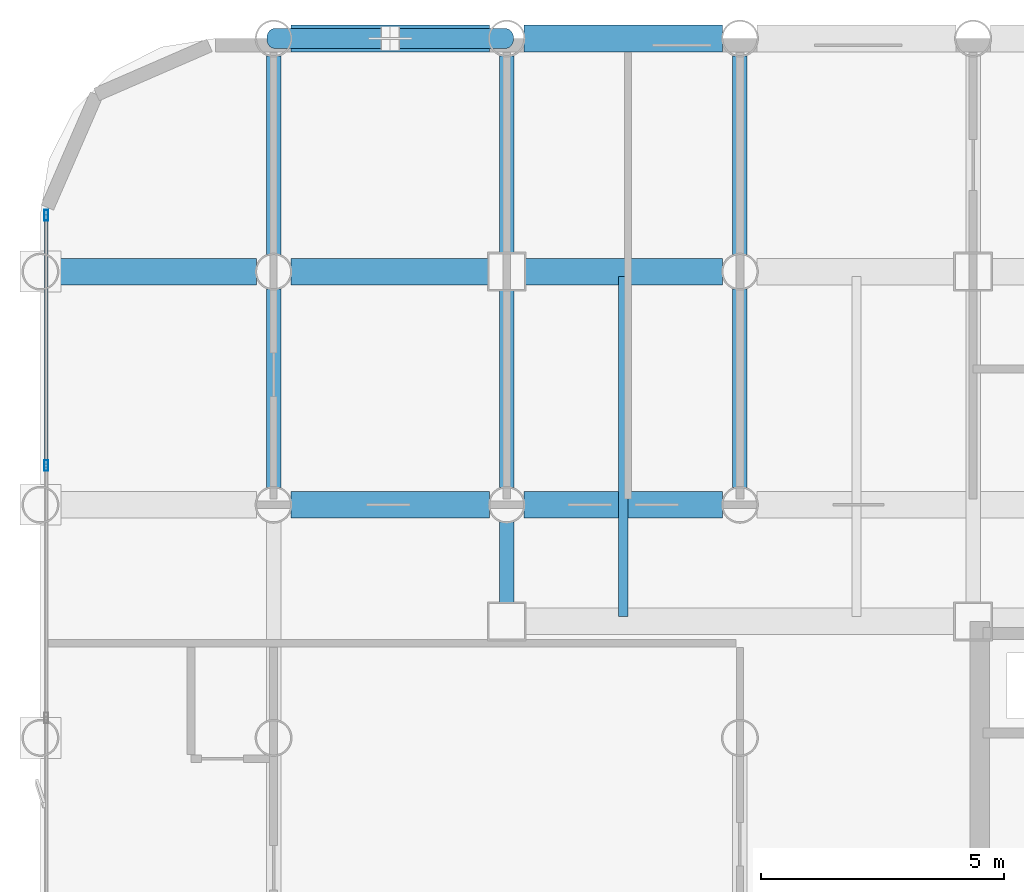
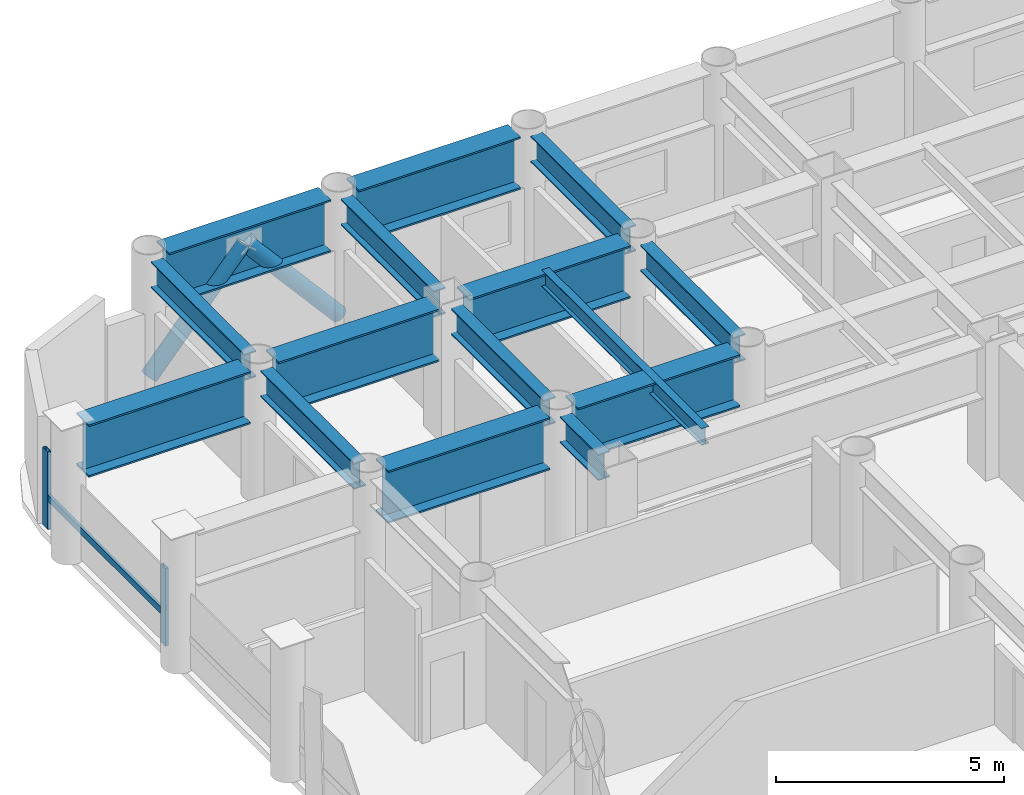
# One storey, part 12 of 26: 15 beams, 5 members, 1 element without a shape of its own.
"""IFC4 building model written with IfcOpenShell, lengths in metres."""

from ifc_helpers import new_model, si_unit, direction, frame, origin, origin_2d, place, context, subcontext, project, spatial, hollow_rectangle, hollow_circle, i_section, extrude, material, layer, layer_set, material_profile, profile_set, type_object, element, aggregate, save


model = new_model("IFC4")

# Units and contexts
model_context = context("Model", 3, precision=1e-05, world=origin(), true_north=direction((0.0, 1.0)))
body_context = subcontext(model_context, "Body", "Model", "MODEL_VIEW")
ifc_project = project(units=[si_unit("LENGTHUNIT", "METRE"), si_unit("AREAUNIT", "SQUARE_METRE"), si_unit("VOLUMEUNIT", "CUBIC_METRE"), si_unit("PLANEANGLEUNIT", "RADIAN"), si_unit("MASSUNIT", "GRAM", prefix="KILO")], contexts=[model_context])

# Site, building, storey
site_placement = place(None, origin())
site = spatial("IfcSite", under=ifc_project, at=site_placement, CompositionType="ELEMENT")
building_placement = place(site_placement, origin())
building = spatial("IfcBuilding", under=site, at=building_placement, Name="Kallvorn Hotel Tower", CompositionType="ELEMENT")
storey_placement = place(building_placement, frame((0.0, 0.0, 55.89990234375)))
storey = spatial("IfcBuildingStorey", under=building, at=storey_placement, Name="L12", CompositionType="ELEMENT", Elevation=55.89990234375)

# Beams
ifc_material_1 = material(Name="Structural steel S355JR", Category="steel")
ifc_material_profile_1 = material_profile(ifc_material_1, i_section(OverallWidth=0.300048828125, OverallDepth=0.699951171875, WebThickness=0.01708984375, FlangeThickness=0.031982421875, at=origin_2d()), Name="HE 700 B")
ifc_profile_set_1 = profile_set([ifc_material_profile_1], Name="Structural steel S355JR")
beam_type_1 = type_object("IfcBeamType", Name="BM_HE700B", PredefinedType="BEAM", material=ifc_profile_set_1)
for number, where, z_axis, x_axis, name in (
    (1, (-28.800048828125, 9.9560546875, 3.170166015625), (0.0, 1.0, 0.0), (-1.0, 0.0, 0.0), "L13 Primary Y-Girder 89"),
    (2, (-28.800048828125, 14.756103515625, 3.170166015625), (0.0, 1.0, 0.0), (-1.0, 0.0, 0.0), "L13 Primary Y-Girder 90"),
):
    element("IfcBeam", number, at=place(storey_placement, frame(where, z_axis=z_axis, x_axis=x_axis)), inside=storey, type_object=beam_type_1, Name=name, PredefinedType="BEAM", context=body_context, shape_type="SweptSolid", body=[
        extrude(i_section(OverallWidth=0.300048828125, OverallDepth=0.699951171875, WebThickness=0.01708984375, FlangeThickness=0.031982421875, at=origin_2d()), origin(), (0.0, 0.0, 1.0), 4.087890625),
    ])
beam_1_placement = place(storey_placement, frame((-24.0, 7.574951171875, 3.170166015625), z_axis=(0.0, 1.0, 0.0), x_axis=(-1.0, 0.0, 0.0)))
element("IfcBeam", 3, at=beam_1_placement, inside=storey, type_object=beam_type_1, Name="L13 Primary Y-Girder 95", PredefinedType="BEAM", context=body_context, shape_type="SweptSolid", body=[
    extrude(i_section(OverallWidth=0.300048828125, OverallDepth=0.699951171875, WebThickness=0.01708984375, FlangeThickness=0.031982421875, at=origin_2d()), origin(), (0.0, 0.0, 1.0), 1.6689453125),
])
beam_2_placement = place(storey_placement, frame((-24.0, 9.9560546875, 3.170166015625), z_axis=(0.0, 1.0, 0.0), x_axis=(-1.0, 0.0, 0.0)))
element("IfcBeam", 4, at=beam_2_placement, inside=storey, type_object=beam_type_1, Name="L13 Primary Y-Girder 96", PredefinedType="BEAM", context=body_context, shape_type="SweptSolid", body=[
    extrude(i_section(OverallWidth=0.300048828125, OverallDepth=0.699951171875, WebThickness=0.01708984375, FlangeThickness=0.031982421875, at=origin_2d()), origin(), (0.0, 0.0, 1.0), 4.06884765625),
])
beam_3_placement = place(storey_placement, frame((-24.0, 14.77490234375, 3.170166015625), z_axis=(0.0, 1.0, 0.0), x_axis=(-1.0, 0.0, 0.0)))
element("IfcBeam", 5, at=beam_3_placement, inside=storey, type_object=beam_type_1, Name="L13 Primary Y-Girder 97", PredefinedType="BEAM", context=body_context, shape_type="SweptSolid", body=[
    extrude(i_section(OverallWidth=0.300048828125, OverallDepth=0.699951171875, WebThickness=0.01708984375, FlangeThickness=0.031982421875, at=origin_2d()), origin(), (0.0, 0.0, 1.0), 4.069091796875),
])
for number, where, z_axis, x_axis, name in (
    (6, (-19.199951171875, 9.9560546875, 3.170166015625), (0.0, 1.0, 0.0), (-1.0, 0.0, 0.0), "L13 Primary Y-Girder 105"),
    (7, (-19.199951171875, 14.756103515625, 3.170166015625), (0.0, 1.0, 0.0), (-1.0, 0.0, 0.0), "L13 Primary Y-Girder 106"),
):
    element("IfcBeam", number, at=place(storey_placement, frame(where, z_axis=z_axis, x_axis=x_axis)), inside=storey, type_object=beam_type_1, Name=name, PredefinedType="BEAM", context=body_context, shape_type="SweptSolid", body=[
        extrude(i_section(OverallWidth=0.300048828125, OverallDepth=0.699951171875, WebThickness=0.01708984375, FlangeThickness=0.031982421875, at=origin_2d()), origin(), (0.0, 0.0, 1.0), 4.087890625),
    ])
ifc_material_2 = material(Name="Structural steel S355JR", Category="steel")
ifc_material_profile_2 = material_profile(ifc_material_2, i_section(OverallWidth=0.18994140625, OverallDepth=0.449951171875, WebThickness=0.009521484375, FlangeThickness=0.0146484375, at=origin_2d()), Name="IPE 450")
ifc_profile_set_2 = profile_set([ifc_material_profile_2], Name="Structural steel S355JR")
beam_type_2 = type_object("IfcBeamType", Name="BM_IPE450", PredefinedType="JOIST", material=ifc_profile_set_2)
beam_4_placement = place(storey_placement, frame((-21.60009765625, 7.300048828125, 3.295166015625), z_axis=(0.0, 1.0, 0.0), x_axis=(-1.0, 0.0, 0.0)))
element("IfcBeam", 8, at=beam_4_placement, inside=storey, type_object=beam_type_2, Name="L13 Secondary Composite Joist 202", PredefinedType="JOIST", context=body_context, shape_type="SweptSolid", body=[
    extrude(i_section(OverallWidth=0.18994140625, OverallDepth=0.449951171875, WebThickness=0.009521484375, FlangeThickness=0.0146484375, at=origin_2d()), origin(), (0.0, 0.0, 1.0), 7.0),
])
ifc_material_3 = material(Name="Structural steel S355JR", Category="steel")
ifc_material_profile_3 = material_profile(ifc_material_3, i_section(OverallWidth=0.550048828125, OverallDepth=1.39990234375, WebThickness=0.02490234375, FlangeThickness=0.044921875, at=origin_2d()), Name="PG 1400x550x25x45")
ifc_profile_set_3 = profile_set([ifc_material_profile_3], Name="Structural steel S355JR")
beam_type_3 = type_object("IfcBeamType", Name="BM_PG_1400", PredefinedType="BEAM", material=ifc_profile_set_3)
for number, where, z_axis, x_axis, name in (
    (9, (-28.444091796875, 9.60009765625, 2.820068359375), (1.0, 0.0, 0.0), (0.0, 1.0, 0.0), "L13 Primary X-Girder 52"),
    (10, (-23.64404296875, 9.60009765625, 2.820068359375), (1.0, 0.0, 0.0), (0.0, 1.0, 0.0), "L13 Primary X-Girder 53"),
):
    element("IfcBeam", number, at=place(storey_placement, frame(where, z_axis=z_axis, x_axis=x_axis)), inside=storey, type_object=beam_type_3, Name=name, PredefinedType="BEAM", context=body_context, shape_type="SweptSolid", body=[
        extrude(i_section(OverallWidth=0.550048828125, OverallDepth=1.39990234375, WebThickness=0.02490234375, FlangeThickness=0.044921875, at=origin_2d()), origin(), (0.0, 0.0, 1.0), 4.088134765625),
    ])
beam_5_placement = place(storey_placement, frame((-33.243896484375, 14.39990234375, 2.820068359375), z_axis=(1.0, 0.0, 0.0), x_axis=(0.0, 1.0, 0.0)))
element("IfcBeam", 11, at=beam_5_placement, inside=storey, type_object=beam_type_3, Name="L13 Primary X-Girder 60", PredefinedType="BEAM", context=body_context, shape_type="SweptSolid", body=[
    extrude(i_section(OverallWidth=0.550048828125, OverallDepth=1.39990234375, WebThickness=0.02490234375, FlangeThickness=0.044921875, at=origin_2d()), origin(), (0.0, 0.0, 1.0), 4.087890625),
])
for number, where, z_axis, x_axis, name in (
    (12, (-28.444091796875, 14.39990234375, 2.820068359375), (1.0, 0.0, 0.0), (0.0, 1.0, 0.0), "L13 Primary X-Girder 61"),
    (13, (-23.625, 14.39990234375, 2.820068359375), (1.0, 0.0, 0.0), (0.0, 1.0, 0.0), "L13 Primary X-Girder 62"),
):
    element("IfcBeam", number, at=place(storey_placement, frame(where, z_axis=z_axis, x_axis=x_axis)), inside=storey, type_object=beam_type_3, Name=name, PredefinedType="BEAM", context=body_context, shape_type="SweptSolid", body=[
        extrude(i_section(OverallWidth=0.550048828125, OverallDepth=1.39990234375, WebThickness=0.02490234375, FlangeThickness=0.044921875, at=origin_2d()), origin(), (0.0, 0.0, 1.0), 4.069091796875),
    ])
for number, where, z_axis, x_axis, name in (
    (14, (-28.444091796875, 19.199951171875, 2.820068359375), (1.0, 0.0, 0.0), (0.0, 1.0, 0.0), "L13 Primary X-Girder 70"),
    (15, (-23.64404296875, 19.199951171875, 2.820068359375), (1.0, 0.0, 0.0), (0.0, 1.0, 0.0), "L13 Primary X-Girder 71"),
):
    element("IfcBeam", number, at=place(storey_placement, frame(where, z_axis=z_axis, x_axis=x_axis)), inside=storey, type_object=beam_type_3, Name=name, PredefinedType="BEAM", context=body_context, shape_type="SweptSolid", body=[
        extrude(i_section(OverallWidth=0.550048828125, OverallDepth=1.39990234375, WebThickness=0.02490234375, FlangeThickness=0.044921875, at=origin_2d()), origin(), (0.0, 0.0, 1.0), 4.088134765625),
    ])

# Curtain wall, members
ifc_material_4 = material(Name="Thermally broken black-anodised aluminium AA 6063-T6", Category="aluminium")
ifc_layer = layer(ifc_material_4, 0.199951171875)
ifc_layer_set = layer_set([ifc_layer], Name="CW_SYS_3_HOTEL_LOW")
curtain_wall_type = type_object("IfcCurtainWallType", Name="CW_SYS_3_HOTEL_LOW", PredefinedType="USERDEFINED", material=ifc_layer_set)
curtain_wall_placement = place(storey_placement, origin())
curtain_wall = element("IfcCurtainWall", 16, at=curtain_wall_placement, inside=storey, type_object=curtain_wall_type, Name="L12 Dark-Glass Curtain Wall CW-L12-WN", ObjectType="UNITISED CURTAIN WALL", PredefinedType="USERDEFINED")
ifc_material_5 = material(Name="Thermally broken black-anodised aluminium AA 6063-T6", Category="aluminium")
ifc_material_profile_4 = material_profile(ifc_material_5, hollow_rectangle(XDim=0.080078125, YDim=0.219970703125, WallThickness=0.0048828125, at=origin_2d()), Name="MUL 220x80")
ifc_profile_set_4 = profile_set([ifc_material_profile_4], Name="Thermally broken black-anodised aluminium AA 6063-T6")
member_type_1 = type_object("IfcMemberType", Name="CW_MULLION_220x80", PredefinedType="MULLION", material=ifc_profile_set_4)
member_1_placement = place(storey_placement, frame((-33.47998046875, 10.40673828125, 0.02001953125), z_axis=(0.0, 0.0, 1.0), x_axis=(1.0, 0.0, 0.0)))
member_1 = element("IfcMember", 17, at=member_1_placement, type_object=member_type_1, Name="CW-L12-WN Mullion 02", PredefinedType="MULLION", context=body_context, shape_type="SweptSolid", body=[
    extrude(hollow_rectangle(XDim=0.080078125, YDim=0.219970703125, WallThickness=0.0048828125, at=origin_2d()), origin(), (0.0, 0.0, 1.0), 2.080078125),
])
member_2_placement = place(storey_placement, frame((-33.47998046875, 15.56005859375, 0.02001953125), z_axis=(0.0, 0.0, 1.0), x_axis=(1.0, 0.0, 0.0)))
member_2 = element("IfcMember", 18, at=member_2_placement, type_object=member_type_1, Name="CW-L12-WN Mullion 03", PredefinedType="MULLION", context=body_context, shape_type="SweptSolid", body=[
    extrude(hollow_rectangle(XDim=0.080078125, YDim=0.219970703125, WallThickness=0.0048828125, at=origin_2d()), origin(), (0.0, 0.0, 1.0), 2.080078125),
])
ifc_material_6 = material(Name="Thermally broken black-anodised aluminium AA 6063-T6", Category="aluminium")
ifc_material_profile_5 = material_profile(ifc_material_6, hollow_rectangle(XDim=0.070068359375, YDim=0.179931640625, WallThickness=0.00390625, at=origin_2d()), Name="TRN 180x70")
ifc_profile_set_5 = profile_set([ifc_material_profile_5], Name="Thermally broken black-anodised aluminium AA 6063-T6")
member_type_2 = type_object("IfcMemberType", Name="CW_TRANSOM_180x70", PredefinedType="USERDEFINED", material=ifc_profile_set_5)
member_3_placement = place(storey_placement, frame((-33.47998046875, 10.44677734375, 0.85009765625), z_axis=(0.0, 1.0, 0.0), x_axis=(-1.0, 0.0, 0.0)))
member_3 = element("IfcMember", 19, at=member_3_placement, type_object=member_type_2, Name="CW-L12-WN Transom 02M", ObjectType="TRANSOM", PredefinedType="USERDEFINED", context=body_context, shape_type="SweptSolid", body=[
    extrude(hollow_rectangle(XDim=0.070068359375, YDim=0.179931640625, WallThickness=0.00390625, at=origin_2d()), origin(), (0.0, 0.0, 1.0), 5.11328125),
])
aggregate(curtain_wall, [member_1, member_2, member_3])

# Members
ifc_material_7 = material(Name="Structural steel S355J2H", Category="steel")
ifc_material_profile_6 = material_profile(ifc_material_7, hollow_circle(Radius=0.203125, WallThickness=0.01611328125, at=origin_2d()), Name="CHS 406.4x16")
ifc_profile_set_6 = profile_set([ifc_material_profile_6], Name="Structural steel S355J2H")
member_type_3 = type_object("IfcMemberType", Name="MBR_EXO_CHS406", PredefinedType="BRACE", material=ifc_profile_set_6)
for number, where, z_axis, x_axis, name in (
    (20, (-28.786865234375, 19.199951171875, 0.1953125), (0.65346062529, 0.0, 0.756960508346), (0.0, 1.0, 0.0), "L12 Exoskeleton K-Brace N1A"),
    (21, (-24.01318359375, 19.199951171875, 0.1953125), (-0.65346062529, 0.0, 0.756960508346), (0.0, -1.0, 0.0), "L12 Exoskeleton K-Brace N1B"),
):
    element("IfcMember", number, at=place(storey_placement, frame(where, z_axis=z_axis, x_axis=x_axis)), inside=storey, type_object=member_type_3, Name=name, PredefinedType="BRACE", context=body_context, shape_type="SweptSolid", body=[
        extrude(hollow_circle(Radius=0.203125, WallThickness=0.01611328125, at=origin_2d()), origin(), (0.0, 0.0, 1.0), 3.632568359375),
    ])

save(model, "model.ifc")
